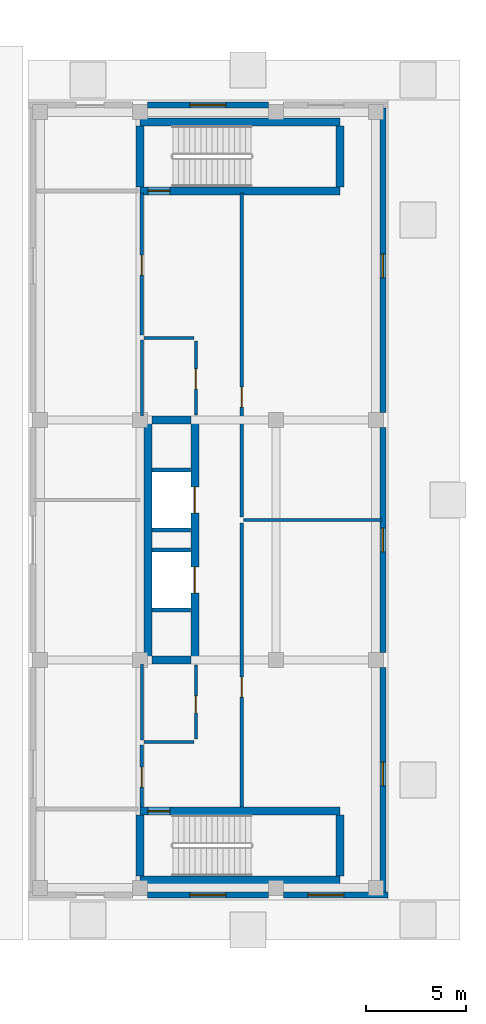
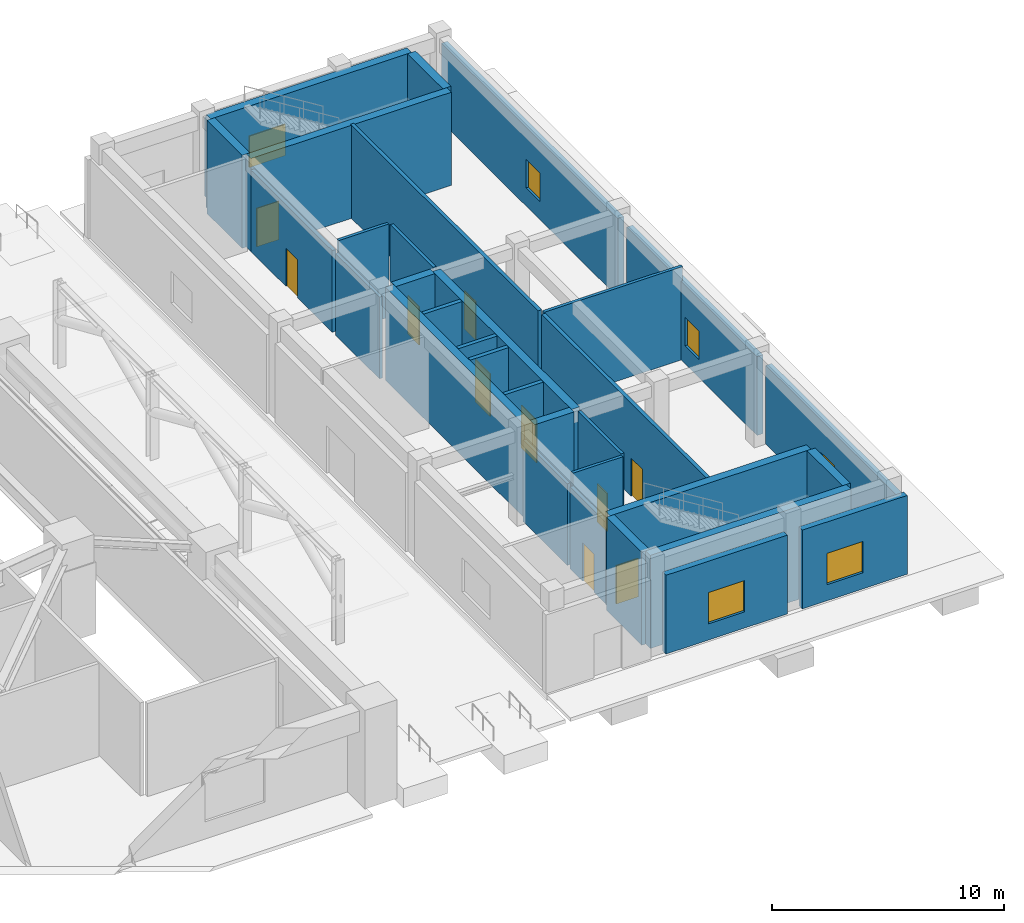
# One storey, part 21 of 27: 33 walls, 10 doors, 6 windows, 16 openings.
"""IFC4 building model written with IfcOpenShell, lengths in metres."""

from ifc_helpers import new_model, si_unit, direction, frame, frame_2d, origin, place, context, subcontext, project, spatial, rectangle, extrude, source, transform, mapped, material, layer, layer_set, type_object, element, fill, save


model = new_model("IFC4")

# Units and contexts
model_context = context("Model", 3, precision=1e-05, world=origin(), true_north=direction((0.0, 1.0)))
body_context = subcontext(model_context, "Body", "Model", "MODEL_VIEW")
ifc_project = project(units=[si_unit("LENGTHUNIT", "METRE"), si_unit("AREAUNIT", "SQUARE_METRE"), si_unit("VOLUMEUNIT", "CUBIC_METRE"), si_unit("PLANEANGLEUNIT", "RADIAN"), si_unit("MASSUNIT", "GRAM", prefix="KILO")], contexts=[model_context])

# Site, building, storey
site_placement = place(None, origin())
site = spatial("IfcSite", under=ifc_project, at=site_placement, CompositionType="ELEMENT")
building_placement = place(site_placement, origin())
building = spatial("IfcBuilding", under=site, at=building_placement, Name="Veraguas Prism Commons", CompositionType="ELEMENT")
storey_placement = place(building_placement, origin())
storey = spatial("IfcBuildingStorey", under=building, at=storey_placement, Name="L00", CompositionType="ELEMENT", Elevation=0.0)

# Wall
ifc_material_1 = material(Name="Concrete C50/60", Category="concrete")
ifc_layer_1 = layer(ifc_material_1, 0.39990234375, Name="Clinic and Mid Core Shear Wall RC 400", Category="concrete")
ifc_layer_set_1 = layer_set([ifc_layer_1], Name="Concrete C50/60")
wall_type_1 = type_object("IfcWallType", Name="Clinic and Mid Core Shear Wall RC 400", PredefinedType="SHEAR", material=ifc_layer_set_1)
wall_1_placement = place(storey_placement, frame((63.0, 16.0, 0.0), z_axis=(0.0, 0.0, 1.0), x_axis=(0.0, 1.0, 0.0)))
element("IfcWall", 1, at=wall_1_placement, inside=storey, type_object=wall_type_1, Name="Health Centre Core West Shear Wall L00", PredefinedType="SHEAR", context=body_context, shape_type="SweptSolid", body=[
    extrude(rectangle(XDim=12.0, YDim=0.39990234375, at=frame_2d((6.0, 0.0))), origin(), (0.0, 0.0, 1.0), 4.89990234375),
])

# Wall, openings, doors
wall_2_placement = place(storey_placement, frame((65.35009765625, 16.0, 0.0), z_axis=(0.0, 0.0, 1.0), x_axis=(0.0, 1.0, 0.0)))
wall_2 = element("IfcWall", 2, at=wall_2_placement, inside=storey, type_object=wall_type_1, Name="Health Centre Lift Core Front Shear Wall L00", PredefinedType="SHEAR", context=body_context, shape_type="SweptSolid", body=[
    extrude(rectangle(XDim=12.0, YDim=0.39990234375, at=frame_2d((6.0, 0.0))), origin(), (0.0, 0.0, 1.0), 4.89990234375),
])
opening_1_placement = place(wall_2_placement, frame((3.35009765625, 0.0, 0.0)))
opening_1 = element("IfcOpeningElement", 3, at=opening_1_placement, cuts=wall_2, Name="Opening LD-02", PredefinedType="OPENING", context=body_context, shape_type="SweptSolid", body=[
    extrude(rectangle(XDim=1.300048828125, YDim=2.25, at=frame_2d((0.64990234375, 1.125))), frame((0.0, 0.2099609375, 0.0), z_axis=(0.0, -1.0, 0.0), x_axis=(1.0, 0.0, 0.0)), (0.0, 0.0, 1.0), 0.419921875),
])
opening_2_placement = place(wall_2_placement, frame((7.35009765625, 0.0, 0.0)))
opening_2 = element("IfcOpeningElement", 4, at=opening_2_placement, cuts=wall_2, Name="Opening LD-02", PredefinedType="OPENING", context=body_context, shape_type="SweptSolid", body=[
    extrude(rectangle(XDim=1.300048828125, YDim=2.25, at=frame_2d((0.64990234375, 1.125))), frame((0.0, 0.2099609375, 0.0), z_axis=(0.0, -1.0, 0.0), x_axis=(1.0, 0.0, 0.0)), (0.0, 0.0, 1.0), 0.419921875),
])
ifc_material_2 = material(Name="Stainless steel AISI 316", Category="steel")
door_type_1 = type_object("IfcDoorType", Name="Firefighting Lift Sliding Landing Door 1300x2250", OperationType="NOTDEFINED", PredefinedType="DOOR", material=ifc_material_2)
shared_shape_1 = source(origin(), body_context, "Body", "SweptSolid", [
    extrude(rectangle(XDim=1.300048828125, YDim=2.25, at=frame_2d((0.64990234375, 1.125))), frame((0.0, 0.02490234375, 0.0), z_axis=(0.0, -1.0, 0.0), x_axis=(1.0, 0.0, 0.0)), (0.0, 0.0, 1.0), 0.050048828125),
])
door_1_placement = place(opening_1_placement, origin())
door_1 = element("IfcDoor", 5, at=door_1_placement, inside=storey, type_object=door_type_1, Name="Health Centre Lift CL-1 Door L00", OperationType="SLIDING_TO_LEFT", OverallHeight=2.25, OverallWidth=1.300048828125, PredefinedType="DOOR", context=body_context, shape_type="MappedRepresentation", body=[
    mapped(shared_shape_1, transform((0.0, 0.0, 0.0), scale=1.0)),
])
fill(opening_1, door_1)
door_2_placement = place(opening_2_placement, origin())
door_2 = element("IfcDoor", 6, at=door_2_placement, inside=storey, type_object=door_type_1, Name="Health Centre Lift CL-2 Door L00", OperationType="SLIDING_TO_LEFT", OverallHeight=2.25, OverallWidth=1.300048828125, PredefinedType="DOOR", context=body_context, shape_type="MappedRepresentation", body=[
    mapped(shared_shape_1, transform((0.0, 0.0, 0.0), scale=1.0)),
])
fill(opening_2, door_2)

# Walls
for number, where, z_axis, x_axis, name in (
    (7, (63.199951171875, 16.0, 0.0), (0.0, 0.0, 1.0), (1.0, 0.0, 0.0), "Health Centre Core South Wall L00"),
    (8, (63.199951171875, 28.0, 0.0), (0.0, 0.0, 1.0), (1.0, 0.0, 0.0), "Health Centre Core North Wall L00"),
):
    element("IfcWall", number, at=place(storey_placement, frame(where, z_axis=z_axis, x_axis=x_axis)), inside=storey, type_object=wall_type_1, Name=name, PredefinedType="SHEAR", context=body_context, shape_type="SweptSolid", body=[
        extrude(rectangle(XDim=1.949951171875, YDim=0.39990234375, at=frame_2d((0.97509765625, 0.0))), origin(), (0.0, 0.0, 1.0), 4.89990234375),
    ])
wall_3_placement = place(storey_placement, frame((62.60009765625, 5.0, 0.0), z_axis=(0.0, 0.0, 1.0), x_axis=(1.0, 0.0, 0.0)))
element("IfcWall", 9, at=wall_3_placement, inside=storey, type_object=wall_type_1, Name="ST-H1 South Shear Wall L00", PredefinedType="SHEAR", context=body_context, shape_type="SweptSolid", body=[
    extrude(rectangle(XDim=10.0, YDim=0.39990234375, at=frame_2d((5.0, 0.0))), origin(), (0.0, 0.0, 1.0), 4.89990234375),
])

# Wall, opening, door
wall_4_placement = place(storey_placement, frame((62.60009765625, 8.449951171875, 0.0), z_axis=(0.0, 0.0, 1.0), x_axis=(1.0, 0.0, 0.0)))
wall_4 = element("IfcWall", 10, at=wall_4_placement, inside=storey, type_object=wall_type_1, Name="ST-H1 North Shear Wall L00", PredefinedType="SHEAR", context=body_context, shape_type="SweptSolid", body=[
    extrude(rectangle(XDim=10.0, YDim=0.39990234375, at=frame_2d((5.0, 0.0))), origin(), (0.0, 0.0, 1.0), 4.89990234375),
])
opening_3_placement = place(wall_4_placement, frame((0.39990234375, 0.0, 0.0)))
opening_3 = element("IfcOpeningElement", 11, at=opening_3_placement, cuts=wall_4, Name="Opening DR-05", PredefinedType="OPENING", context=body_context, shape_type="SweptSolid", body=[
    extrude(rectangle(XDim=1.10009765625, YDim=2.030029296875, at=frame_2d((0.550048828125, 1.01513671875))), frame((0.0, 0.2099609375, 0.0), z_axis=(0.0, -1.0, 0.0), x_axis=(1.0, 0.0, 0.0)), (0.0, 0.0, 1.0), 0.419921875),
])
ifc_material_3 = material(Name="Steel fire-rated door assembly", Category="steel")
door_type_2 = type_object("IfcDoorType", Name="Protected Stair and Refuge Fire Door 1100x2030", OperationType="NOTDEFINED", PredefinedType="DOOR", material=ifc_material_3)
shared_shape_2 = source(origin(), body_context, "Body", "SweptSolid", [
    extrude(rectangle(XDim=1.10009765625, YDim=2.030029296875, at=frame_2d((0.550048828125, 1.01513671875))), frame((0.0, 0.02490234375, 0.0), z_axis=(0.0, -1.0, 0.0), x_axis=(1.0, 0.0, 0.0)), (0.0, 0.0, 1.0), 0.050048828125),
])
door_3_placement = place(opening_3_placement, origin())
door_3 = element("IfcDoor", 12, at=door_3_placement, inside=storey, type_object=door_type_2, Name="Health Centre Stair ST-H1 Door L00", OperationType="SINGLE_SWING_LEFT", OverallHeight=2.030029296875, OverallWidth=1.10009765625, PredefinedType="DOOR", context=body_context, shape_type="MappedRepresentation", body=[
    mapped(shared_shape_2, transform((0.0, 0.0, 0.0), scale=1.0)),
])
fill(opening_3, door_3)

# Walls
for number, where, z_axis, x_axis, name in (
    (13, (62.60009765625, 5.199951171875, 0.0), (0.0, 0.0, 1.0), (0.0, 1.0, 0.0), "ST-H1 West Shear Wall L00"),
    (14, (72.60009765625, 5.199951171875, 0.0), (0.0, 0.0, 1.0), (0.0, 1.0, 0.0), "ST-H1 East Shear Wall L00"),
):
    element("IfcWall", number, at=place(storey_placement, frame(where, z_axis=z_axis, x_axis=x_axis)), inside=storey, type_object=wall_type_1, Name=name, PredefinedType="SHEAR", context=body_context, shape_type="SweptSolid", body=[
        extrude(rectangle(XDim=3.050048828125, YDim=0.39990234375, at=frame_2d((1.52490234375, 0.0))), origin(), (0.0, 0.0, 1.0), 4.89990234375),
    ])

# Wall, opening, door
wall_5_placement = place(storey_placement, frame((62.60009765625, 39.4599609375, 0.0), z_axis=(0.0, 0.0, 1.0), x_axis=(1.0, 0.0, 0.0)))
wall_5 = element("IfcWall", 15, at=wall_5_placement, inside=storey, type_object=wall_type_1, Name="ST-H2 South Shear Wall L00", PredefinedType="SHEAR", context=body_context, shape_type="SweptSolid", body=[
    extrude(rectangle(XDim=10.0, YDim=0.39990234375, at=frame_2d((5.0, 0.0))), origin(), (0.0, 0.0, 1.0), 4.89990234375),
])
opening_4_placement = place(wall_5_placement, frame((0.39990234375, 0.0, 0.0)))
opening_4 = element("IfcOpeningElement", 16, at=opening_4_placement, cuts=wall_5, Name="Opening DR-05", PredefinedType="OPENING", context=body_context, shape_type="SweptSolid", body=[
    extrude(rectangle(XDim=1.10009765625, YDim=2.030029296875, at=frame_2d((0.550048828125, 1.01513671875))), frame((0.0, 0.2099609375, 0.0), z_axis=(0.0, -1.0, 0.0), x_axis=(1.0, 0.0, 0.0)), (0.0, 0.0, 1.0), 0.419921875),
])
door_4_placement = place(opening_4_placement, origin())
door_4 = element("IfcDoor", 17, at=door_4_placement, inside=storey, type_object=door_type_2, Name="Health Centre Stair ST-H2 Door L00", OperationType="SINGLE_SWING_RIGHT", OverallHeight=2.030029296875, OverallWidth=1.10009765625, PredefinedType="DOOR", context=body_context, shape_type="MappedRepresentation", body=[
    mapped(shared_shape_2, transform((0.0, 0.0, 0.0), scale=1.0)),
])
fill(opening_4, door_4)

# Walls
wall_6_placement = place(storey_placement, frame((62.60009765625, 42.909912109375, 0.0), z_axis=(0.0, 0.0, 1.0), x_axis=(1.0, 0.0, 0.0)))
element("IfcWall", 18, at=wall_6_placement, inside=storey, type_object=wall_type_1, Name="ST-H2 North Shear Wall L00", PredefinedType="SHEAR", context=body_context, shape_type="SweptSolid", body=[
    extrude(rectangle(XDim=10.0, YDim=0.39990234375, at=frame_2d((5.0, 0.0))), origin(), (0.0, 0.0, 1.0), 4.89990234375),
])
for number, where, z_axis, x_axis, name in (
    (19, (62.60009765625, 39.659912109375, 0.0), (0.0, 0.0, 1.0), (0.0, 1.0, 0.0), "ST-H2 West Shear Wall L00"),
    (20, (72.60009765625, 39.659912109375, 0.0), (0.0, 0.0, 1.0), (0.0, 1.0, 0.0), "ST-H2 East Shear Wall L00"),
):
    element("IfcWall", number, at=place(storey_placement, frame(where, z_axis=z_axis, x_axis=x_axis)), inside=storey, type_object=wall_type_1, Name=name, PredefinedType="SHEAR", context=body_context, shape_type="SweptSolid", body=[
        extrude(rectangle(XDim=3.050048828125, YDim=0.39990234375, at=frame_2d((1.52490234375, 0.0))), origin(), (0.0, 0.0, 1.0), 4.89990234375),
    ])

# Wall, opening, door
ifc_material_4 = material(Name="Autoclaved aerated masonry block 10 MPa", Category="masonry")
ifc_layer_2 = layer(ifc_material_4, 0.179931640625, Name="Corridor and Inter-Tenancy Partition 180", Category="masonry")
ifc_layer_set_2 = layer_set([ifc_layer_2], Name="Autoclaved aerated masonry block 10 MPa")
wall_type_2 = type_object("IfcWallType", Name="Corridor and Inter-Tenancy Partition 180", PredefinedType="PARTITIONING", material=ifc_layer_set_2)
wall_7_placement = place(storey_placement, frame((62.699951171875, 8.64990234375, 0.0), z_axis=(0.0, 0.0, 1.0), x_axis=(0.0, 1.0, 0.0)))
wall_7 = element("IfcWall", 21, at=wall_7_placement, inside=storey, type_object=wall_type_2, Name="WL-L00-HCPT05", PredefinedType="PARTITIONING", context=body_context, shape_type="SweptSolid", body=[
    extrude(rectangle(XDim=3.10009765625, YDim=0.179931640625, at=frame_2d((1.550048828125, 0.0))), origin(), (0.0, 0.0, 1.0), 4.300048828125),
])
opening_5_placement = place(wall_7_placement, frame((1.0, 0.0, 0.0)))
opening_5 = element("IfcOpeningElement", 22, at=opening_5_placement, cuts=wall_7, Name="Opening DR-13", PredefinedType="OPENING", context=body_context, shape_type="SweptSolid", body=[
    extrude(rectangle(XDim=1.0, YDim=2.010009765625, at=frame_2d((0.5, 1.0048828125))), frame((0.0, 0.099853515625, 0.0), z_axis=(0.0, -1.0, 0.0), x_axis=(1.0, 0.0, 0.0)), (0.0, 0.0, 1.0), 0.199951171875),
])
door_type_3 = type_object("IfcDoorType", Name="Core Accessible WC and Clinic Fire Door 1000x2010", OperationType="NOTDEFINED", PredefinedType="DOOR", material=ifc_material_3)
shared_shape_3 = source(origin(), body_context, "Body", "SweptSolid", [
    extrude(rectangle(XDim=1.0, YDim=2.010009765625, at=frame_2d((0.5, 1.0048828125))), frame((0.0, 0.02490234375, 0.0), z_axis=(0.0, -1.0, 0.0), x_axis=(1.0, 0.0, 0.0)), (0.0, 0.0, 1.0), 0.050048828125),
])
door_5_placement = place(opening_5_placement, origin())
door_5 = element("IfcDoor", 23, at=door_5_placement, inside=storey, type_object=door_type_3, Name="Urgent Care Triage and Reception Door", OperationType="SINGLE_SWING_RIGHT", OverallHeight=2.010009765625, OverallWidth=1.0, PredefinedType="DOOR", context=body_context, shape_type="MappedRepresentation", body=[
    mapped(shared_shape_3, transform((0.0, 0.0, 0.0), scale=1.0)),
])
fill(opening_5, door_5)

wall_8_placement = place(storey_placement, frame((62.699951171875, 32.25, 0.0), z_axis=(0.0, 0.0, 1.0), x_axis=(0.0, 1.0, 0.0)))
wall_8 = element("IfcWall", 24, at=wall_8_placement, inside=storey, type_object=wall_type_2, Name="WL-L00-HCPT06", PredefinedType="PARTITIONING", context=body_context, shape_type="SweptSolid", body=[
    extrude(rectangle(XDim=7.10009765625, YDim=0.179931640625, at=frame_2d((3.550048828125, 0.0))), origin(), (0.0, 0.0, 1.0), 4.300048828125),
])
opening_6_placement = place(wall_8_placement, frame((3.0, 0.0, 0.0)))
opening_6 = element("IfcOpeningElement", 25, at=opening_6_placement, cuts=wall_8, Name="Opening DR-13", PredefinedType="OPENING", context=body_context, shape_type="SweptSolid", body=[
    extrude(rectangle(XDim=1.0, YDim=2.010009765625, at=frame_2d((0.5, 1.0048828125))), frame((0.0, 0.099853515625, 0.0), z_axis=(0.0, -1.0, 0.0), x_axis=(1.0, 0.0, 0.0)), (0.0, 0.0, 1.0), 0.199951171875),
])
door_6_placement = place(opening_6_placement, origin())
door_6 = element("IfcDoor", 26, at=door_6_placement, inside=storey, type_object=door_type_3, Name="Emergency Observation Treatment Room Door", OperationType="SINGLE_SWING_LEFT", OverallHeight=2.010009765625, OverallWidth=1.0, PredefinedType="DOOR", context=body_context, shape_type="MappedRepresentation", body=[
    mapped(shared_shape_3, transform((0.0, 0.0, 0.0), scale=1.0)),
])
fill(opening_6, door_6)

wall_9_placement = place(storey_placement, frame((67.699951171875, 8.64990234375, 0.0), z_axis=(0.0, 0.0, 1.0), x_axis=(0.0, 1.0, 0.0)))
wall_9 = element("IfcWall", 27, at=wall_9_placement, inside=storey, type_object=wall_type_2, Name="WL-L00-HCPT08", PredefinedType="PARTITIONING", context=body_context, shape_type="SweptSolid", body=[
    extrude(rectangle(XDim=14.2001953125, YDim=0.179931640625, at=frame_2d((7.10009765625, 0.0))), origin(), (0.0, 0.0, 1.0), 4.89990234375),
])
opening_7_placement = place(wall_9_placement, frame((5.5, 0.0, 0.0)))
opening_7 = element("IfcOpeningElement", 28, at=opening_7_placement, cuts=wall_9, Name="Opening DR-13", PredefinedType="OPENING", context=body_context, shape_type="SweptSolid", body=[
    extrude(rectangle(XDim=1.0, YDim=2.010009765625, at=frame_2d((0.5, 1.0048828125))), frame((0.0, 0.099853515625, 0.0), z_axis=(0.0, -1.0, 0.0), x_axis=(1.0, 0.0, 0.0)), (0.0, 0.0, 1.0), 0.199951171875),
])
door_7_placement = place(opening_7_placement, origin())
door_7 = element("IfcDoor", 29, at=door_7_placement, inside=storey, type_object=door_type_3, Name="Municipal Dispensary and Pharmacy Door", OperationType="SINGLE_SWING_RIGHT", OverallHeight=2.010009765625, OverallWidth=1.0, PredefinedType="DOOR", context=body_context, shape_type="MappedRepresentation", body=[
    mapped(shared_shape_3, transform((0.0, 0.0, 0.0), scale=1.0)),
])
fill(opening_7, door_7)

wall_10_placement = place(storey_placement, frame((67.699951171875, 23.14990234375, 0.0), z_axis=(0.0, 0.0, 1.0), x_axis=(0.0, 1.0, 0.0)))
wall_10 = element("IfcWall", 30, at=wall_10_placement, inside=storey, type_object=wall_type_2, Name="WL-L00-HCPT09", PredefinedType="PARTITIONING", context=body_context, shape_type="SweptSolid", body=[
    extrude(rectangle(XDim=16.2001953125, YDim=0.179931640625, at=frame_2d((8.10009765625, 0.0))), origin(), (0.0, 0.0, 1.0), 4.89990234375),
])
opening_8_placement = place(wall_10_placement, frame((5.5, 0.0, 0.0)))
opening_8 = element("IfcOpeningElement", 31, at=opening_8_placement, cuts=wall_10, Name="Opening DR-13", PredefinedType="OPENING", context=body_context, shape_type="SweptSolid", body=[
    extrude(rectangle(XDim=1.0, YDim=2.010009765625, at=frame_2d((0.5, 1.0048828125))), frame((0.0, 0.099853515625, 0.0), z_axis=(0.0, -1.0, 0.0), x_axis=(1.0, 0.0, 0.0)), (0.0, 0.0, 1.0), 0.199951171875),
])
door_8_placement = place(opening_8_placement, origin())
door_8 = element("IfcDoor", 32, at=door_8_placement, inside=storey, type_object=door_type_3, Name="Minor Procedure Suite Door", OperationType="SINGLE_SWING_LEFT", OverallHeight=2.010009765625, OverallWidth=1.0, PredefinedType="DOOR", context=body_context, shape_type="MappedRepresentation", body=[
    mapped(shared_shape_3, transform((0.0, 0.0, 0.0), scale=1.0)),
])
fill(opening_8, door_8)

# Wall, opening, window
ifc_material_5 = material(Name="Precast concrete C40/50", Category="concrete")
ifc_layer_3 = layer(ifc_material_5, 0.300048828125, Name="External Precast Facade Wall 300", Category="concrete")
ifc_layer_set_3 = layer_set([ifc_layer_3], Name="Precast concrete C40/50")
wall_type_3 = type_object("IfcWallType", Name="External Precast Facade Wall 300", PredefinedType="SOLIDWALL", material=ifc_layer_set_3)
wall_11_placement = place(storey_placement, frame((62.97509765625, 4.25, 0.0), z_axis=(0.0, 0.0, 1.0), x_axis=(1.0, 0.0, 0.0)))
wall_11 = element("IfcWall", 33, at=wall_11_placement, inside=storey, type_object=wall_type_3, Name="Health Centre South Wall L00-02", PredefinedType="SOLIDWALL", context=body_context, shape_type="SweptSolid", body=[
    extrude(rectangle(XDim=6.0498046875, YDim=0.300048828125, at=frame_2d((3.02490234375, 0.0))), origin(), (0.0, 0.0, 1.0), 4.14990234375),
])
opening_9_placement = place(wall_11_placement, frame((2.125, 0.0, 0.85009765625)))
opening_9 = element("IfcOpeningElement", 34, at=opening_9_placement, cuts=wall_11, Name="Opening WN-01", PredefinedType="OPENING", context=body_context, shape_type="SweptSolid", body=[
    extrude(rectangle(XDim=1.800048828125, YDim=1.64990234375, at=frame_2d((0.89990234375, 0.824951171875))), frame((0.0, 0.159912109375, 0.0), z_axis=(0.0, -1.0, 0.0), x_axis=(1.0, 0.0, 0.0)), (0.0, 0.0, 1.0), 0.320068359375),
])
ifc_material_6 = material(Name="Laminated low-e glass", Category="glass")
window_type_1 = type_object("IfcWindowType", Name="Clinic Consulting Double Window 1800x1650", PartitioningType="DOUBLE_PANEL_VERTICAL", PredefinedType="WINDOW", material=ifc_material_6)
shared_shape_4 = source(origin(), body_context, "Body", "SweptSolid", [
    extrude(rectangle(XDim=1.800048828125, YDim=1.64990234375, at=frame_2d((0.89990234375, 0.824951171875))), frame((0.0, 0.030029296875, 0.0), z_axis=(0.0, -1.0, 0.0), x_axis=(1.0, 0.0, 0.0)), (0.0, 0.0, 1.0), 0.06005859375),
])
window_1_placement = place(opening_9_placement, origin())
window_1 = element("IfcWindow", 35, at=window_1_placement, inside=storey, type_object=window_type_1, Name="Health Centre South Window L00-02", OverallHeight=1.64990234375, OverallWidth=1.800048828125, PartitioningType="DOUBLE_PANEL_VERTICAL", PredefinedType="WINDOW", context=body_context, shape_type="MappedRepresentation", body=[
    mapped(shared_shape_4, transform((0.0, 0.0, 0.0), scale=1.0)),
])
fill(opening_9, window_1)

wall_12_placement = place(storey_placement, frame((69.77490234375, 4.25, 0.0), z_axis=(0.0, 0.0, 1.0), x_axis=(1.0, 0.0, 0.0)))
wall_12 = element("IfcWall", 36, at=wall_12_placement, inside=storey, type_object=wall_type_3, Name="Health Centre South Wall L00-03", PredefinedType="SOLIDWALL", context=body_context, shape_type="SweptSolid", body=[
    extrude(rectangle(XDim=5.22509765625, YDim=0.300048828125, at=frame_2d((2.612548828125, 0.0))), origin(), (0.0, 0.0, 1.0), 4.14990234375),
])
opening_10_placement = place(wall_12_placement, frame((1.22509765625, 0.0, 0.85009765625)))
opening_10 = element("IfcOpeningElement", 37, at=opening_10_placement, cuts=wall_12, Name="Opening WN-01", PredefinedType="OPENING", context=body_context, shape_type="SweptSolid", body=[
    extrude(rectangle(XDim=1.800048828125, YDim=1.64990234375, at=frame_2d((0.89990234375, 0.824951171875))), frame((0.0, 0.159912109375, 0.0), z_axis=(0.0, -1.0, 0.0), x_axis=(1.0, 0.0, 0.0)), (0.0, 0.0, 1.0), 0.320068359375),
])
window_2_placement = place(opening_10_placement, origin())
window_2 = element("IfcWindow", 38, at=window_2_placement, inside=storey, type_object=window_type_1, Name="Health Centre South Window L00-03", OverallHeight=1.64990234375, OverallWidth=1.800048828125, PartitioningType="DOUBLE_PANEL_VERTICAL", PredefinedType="WINDOW", context=body_context, shape_type="MappedRepresentation", body=[
    mapped(shared_shape_4, transform((0.0, 0.0, 0.0), scale=1.0)),
])
fill(opening_10, window_2)

wall_13_placement = place(storey_placement, frame((69.02490234375, 43.75, 0.0), z_axis=(0.0, 0.0, 1.0), x_axis=(-1.0, 0.0, 0.0)))
wall_13 = element("IfcWall", 39, at=wall_13_placement, inside=storey, type_object=wall_type_3, Name="Health Centre North Wall L00-02", PredefinedType="SOLIDWALL", context=body_context, shape_type="SweptSolid", body=[
    extrude(rectangle(XDim=6.0498046875, YDim=0.300048828125, at=frame_2d((3.02490234375, 0.0))), origin(), (0.0, 0.0, 1.0), 4.14990234375),
])
opening_11_placement = place(wall_13_placement, frame((2.125, 0.0, 0.85009765625)))
opening_11 = element("IfcOpeningElement", 40, at=opening_11_placement, cuts=wall_13, Name="Opening WN-01", PredefinedType="OPENING", context=body_context, shape_type="SweptSolid", body=[
    extrude(rectangle(XDim=1.800048828125, YDim=1.64990234375, at=frame_2d((0.89990234375, 0.824951171875))), frame((0.0, 0.159912109375, 0.0), z_axis=(0.0, -1.0, 0.0), x_axis=(1.0, 0.0, 0.0)), (0.0, 0.0, 1.0), 0.320068359375),
])
window_3_placement = place(opening_11_placement, origin())
window_3 = element("IfcWindow", 41, at=window_3_placement, inside=storey, type_object=window_type_1, Name="Health Centre North Window L00-02", OverallHeight=1.64990234375, OverallWidth=1.800048828125, PartitioningType="DOUBLE_PANEL_VERTICAL", PredefinedType="WINDOW", context=body_context, shape_type="MappedRepresentation", body=[
    mapped(shared_shape_4, transform((0.0, 0.0, 0.0), scale=1.0)),
])
fill(opening_11, window_3)

wall_14_placement = place(storey_placement, frame((74.75, 4.39990234375, 0.0), z_axis=(0.0, 0.0, 1.0), x_axis=(0.0, 1.0, 0.0)))
wall_14 = element("IfcWall", 42, at=wall_14_placement, inside=storey, type_object=wall_type_3, Name="Health Centre East Wall L00-01", PredefinedType="SOLIDWALL", context=body_context, shape_type="SweptSolid", body=[
    extrude(rectangle(XDim=11.22509765625, YDim=0.300048828125, at=frame_2d((5.612548828125, 0.0))), origin(), (0.0, 0.0, 1.0), 4.14990234375),
])
opening_12_placement = place(wall_14_placement, frame((5.300048828125, 0.0, 0.949951171875)))
opening_12 = element("IfcOpeningElement", 43, at=opening_12_placement, cuts=wall_14, Name="Opening WN-03", PredefinedType="OPENING", context=body_context, shape_type="SweptSolid", body=[
    extrude(rectangle(XDim=1.199951171875, YDim=1.5, at=frame_2d((0.60009765625, 0.75))), frame((0.0, 0.159912109375, 0.0), z_axis=(0.0, -1.0, 0.0), x_axis=(1.0, 0.0, 0.0)), (0.0, 0.0, 1.0), 0.320068359375),
])
window_type_2 = type_object("IfcWindowType", Name="Clinic Treatment Window 1200x1500", PartitioningType="SINGLE_PANEL", PredefinedType="WINDOW", material=ifc_material_6)
shared_shape_5 = source(origin(), body_context, "Body", "SweptSolid", [
    extrude(rectangle(XDim=1.199951171875, YDim=1.5, at=frame_2d((0.60009765625, 0.75))), frame((0.0, 0.030029296875, 0.0), z_axis=(0.0, -1.0, 0.0), x_axis=(1.0, 0.0, 0.0)), (0.0, 0.0, 1.0), 0.06005859375),
])
window_4_placement = place(opening_12_placement, origin())
window_4 = element("IfcWindow", 44, at=window_4_placement, inside=storey, type_object=window_type_2, Name="Health Centre East Window L00-01", OverallHeight=1.5, OverallWidth=1.199951171875, PartitioningType="SINGLE_PANEL", PredefinedType="WINDOW", context=body_context, shape_type="MappedRepresentation", body=[
    mapped(shared_shape_5, transform((0.0, 0.0, 0.0), scale=1.0)),
])
fill(opening_12, window_4)

wall_15_placement = place(storey_placement, frame((74.75, 16.375, 0.0), z_axis=(0.0, 0.0, 1.0), x_axis=(0.0, 1.0, 0.0)))
wall_15 = element("IfcWall", 45, at=wall_15_placement, inside=storey, type_object=wall_type_3, Name="Health Centre East Wall L00-02", PredefinedType="SOLIDWALL", context=body_context, shape_type="SweptSolid", body=[
    extrude(rectangle(XDim=11.25, YDim=0.300048828125, at=frame_2d((5.625, 0.0))), origin(), (0.0, 0.0, 1.0), 4.14990234375),
])
opening_13_placement = place(wall_15_placement, frame((5.02490234375, 0.0, 0.949951171875)))
opening_13 = element("IfcOpeningElement", 46, at=opening_13_placement, cuts=wall_15, Name="Opening WN-03", PredefinedType="OPENING", context=body_context, shape_type="SweptSolid", body=[
    extrude(rectangle(XDim=1.199951171875, YDim=1.5, at=frame_2d((0.60009765625, 0.75))), frame((0.0, 0.159912109375, 0.0), z_axis=(0.0, -1.0, 0.0), x_axis=(1.0, 0.0, 0.0)), (0.0, 0.0, 1.0), 0.320068359375),
])
window_5_placement = place(opening_13_placement, origin())
window_5 = element("IfcWindow", 47, at=window_5_placement, inside=storey, type_object=window_type_2, Name="Health Centre East Window L00-02", OverallHeight=1.5, OverallWidth=1.199951171875, PartitioningType="SINGLE_PANEL", PredefinedType="WINDOW", context=body_context, shape_type="MappedRepresentation", body=[
    mapped(shared_shape_5, transform((0.0, 0.0, 0.0), scale=1.0)),
])
fill(opening_13, window_5)

wall_16_placement = place(storey_placement, frame((74.75, 28.375, 0.0), z_axis=(0.0, 0.0, 1.0), x_axis=(0.0, 1.0, 0.0)))
wall_16 = element("IfcWall", 48, at=wall_16_placement, inside=storey, type_object=wall_type_3, Name="Health Centre East Wall L00-03", PredefinedType="SOLIDWALL", context=body_context, shape_type="SweptSolid", body=[
    extrude(rectangle(XDim=15.22509765625, YDim=0.300048828125, at=frame_2d((7.612548828125, 0.0))), origin(), (0.0, 0.0, 1.0), 4.14990234375),
])
opening_14_placement = place(wall_16_placement, frame((6.72509765625, 0.0, 0.949951171875)))
opening_14 = element("IfcOpeningElement", 49, at=opening_14_placement, cuts=wall_16, Name="Opening WN-03", PredefinedType="OPENING", context=body_context, shape_type="SweptSolid", body=[
    extrude(rectangle(XDim=1.199951171875, YDim=1.5, at=frame_2d((0.60009765625, 0.75))), frame((0.0, 0.159912109375, 0.0), z_axis=(0.0, -1.0, 0.0), x_axis=(1.0, 0.0, 0.0)), (0.0, 0.0, 1.0), 0.320068359375),
])
window_6_placement = place(opening_14_placement, origin())
window_6 = element("IfcWindow", 50, at=window_6_placement, inside=storey, type_object=window_type_2, Name="Health Centre East Window L00-03", OverallHeight=1.5, OverallWidth=1.199951171875, PartitioningType="SINGLE_PANEL", PredefinedType="WINDOW", context=body_context, shape_type="MappedRepresentation", body=[
    mapped(shared_shape_5, transform((0.0, 0.0, 0.0), scale=1.0)),
])
fill(opening_14, window_6)

# Walls
ifc_layer_4 = layer(ifc_material_4, 0.199951171875, Name="Rated Shaft and Lobby Block Wall 200", Category="masonry")
ifc_layer_set_4 = layer_set([ifc_layer_4], Name="Autoclaved aerated masonry block 10 MPa")
wall_type_4 = type_object("IfcWallType", Name="Rated Shaft and Lobby Block Wall 200", PredefinedType="SOLIDWALL", material=ifc_layer_set_4)
for number, where, z_axis, x_axis, name in (
    (51, (63.219970703125, 18.5, 0.0), (0.0, 0.0, 1.0), (1.0, 0.0, 0.0), "Health Centre Lift Shaft Divider Wall L00-CL1S"),
    (52, (63.219970703125, 21.5, 0.0), (0.0, 0.0, 1.0), (1.0, 0.0, 0.0), "Health Centre Lift Shaft Divider Wall L00-CL1N"),
    (53, (63.219970703125, 22.5, 0.0), (0.0, 0.0, 1.0), (1.0, 0.0, 0.0), "Health Centre Lift Shaft Divider Wall L00-CL2S"),
    (54, (63.219970703125, 25.5, 0.0), (0.0, 0.0, 1.0), (1.0, 0.0, 0.0), "Health Centre Lift Shaft Divider Wall L00-CL2N"),
):
    element("IfcWall", number, at=place(storey_placement, frame(where, z_axis=z_axis, x_axis=x_axis)), inside=storey, type_object=wall_type_4, Name=name, PredefinedType="SOLIDWALL", context=body_context, shape_type="SweptSolid", body=[
        extrude(rectangle(XDim=1.909912109375, YDim=0.199951171875, at=frame_2d((0.955078125, 0.0))), origin(), (0.0, 0.0, 1.0), 4.89990234375),
    ])
ifc_material_7 = material(Name="Lightweight acoustic gypsum board")
ifc_layer_5 = layer(ifc_material_7, 0.14990234375, Name="Wet Room and Clinic Acoustic Partition 150")
ifc_layer_set_5 = layer_set([ifc_layer_5], Name="Lightweight acoustic gypsum board")
wall_type_5 = type_object("IfcWallType", Name="Wet Room and Clinic Acoustic Partition 150", PredefinedType="PARTITIONING", material=ifc_layer_set_5)
wall_17_placement = place(storey_placement, frame((62.800048828125, 11.89990234375, 0.0), z_axis=(0.0, 0.0, 1.0), x_axis=(1.0, 0.0, 0.0)))
element("IfcWall", 55, at=wall_17_placement, inside=storey, type_object=wall_type_5, Name="WL-L00-HCPT01", PredefinedType="PARTITIONING", context=body_context, shape_type="SweptSolid", body=[
    extrude(rectangle(XDim=2.5, YDim=0.14990234375, at=frame_2d((1.25, 0.0))), origin(), (0.0, 0.0, 1.0), 4.89990234375),
])
wall_18_placement = place(storey_placement, frame((62.699951171875, 12.0, 0.0), z_axis=(0.0, 0.0, 1.0), x_axis=(0.0, 1.0, 0.0)))
element("IfcWall", 56, at=wall_18_placement, inside=storey, type_object=wall_type_5, Name="WL-L00-HCPT01W", PredefinedType="PARTITIONING", context=body_context, shape_type="SweptSolid", body=[
    extrude(rectangle(XDim=3.800048828125, YDim=0.14990234375, at=frame_2d((1.89990234375, 0.0))), origin(), (0.0, 0.0, 1.0), 4.300048828125),
])

# Wall, opening, door
wall_19_placement = place(storey_placement, frame((65.39990234375, 12.050048828125, 0.0), z_axis=(0.0, 0.0, 1.0), x_axis=(0.0, 1.0, 0.0)))
wall_19 = element("IfcWall", 57, at=wall_19_placement, inside=storey, type_object=wall_type_5, Name="WL-L00-HCPT02", PredefinedType="PARTITIONING", context=body_context, shape_type="SweptSolid", body=[
    extrude(rectangle(XDim=3.699951171875, YDim=0.14990234375, at=frame_2d((1.85009765625, 0.0))), origin(), (0.0, 0.0, 1.0), 4.89990234375),
])
opening_15_placement = place(wall_19_placement, frame((1.300048828125, 0.0, 0.0)))
opening_15 = element("IfcOpeningElement", 58, at=opening_15_placement, cuts=wall_19, Name="Opening DR-12", PredefinedType="OPENING", context=body_context, shape_type="SweptSolid", body=[
    extrude(rectangle(XDim=0.860107421875, YDim=2.010009765625, at=frame_2d((0.43017578125, 1.0048828125))), frame((0.0, 0.0849609375, 0.0), z_axis=(0.0, -1.0, 0.0), x_axis=(1.0, 0.0, 0.0)), (0.0, 0.0, 1.0), 0.169921875),
])
door_type_4 = type_object("IfcDoorType", Name="Core WC Fire Door 860x2010", OperationType="NOTDEFINED", PredefinedType="DOOR", material=ifc_material_3)
shared_shape_6 = source(origin(), body_context, "Body", "SweptSolid", [
    extrude(rectangle(XDim=0.860107421875, YDim=2.010009765625, at=frame_2d((0.43017578125, 1.0048828125))), frame((0.0, 0.02490234375, 0.0), z_axis=(0.0, -1.0, 0.0), x_axis=(1.0, 0.0, 0.0)), (0.0, 0.0, 1.0), 0.050048828125),
])
door_9_placement = place(opening_15_placement, origin())
door_9 = element("IfcDoor", 59, at=door_9_placement, inside=storey, type_object=door_type_4, Name="Clinic WC Door L00", OperationType="SINGLE_SWING_RIGHT", OverallHeight=2.010009765625, OverallWidth=0.860107421875, PredefinedType="DOOR", context=body_context, shape_type="MappedRepresentation", body=[
    mapped(shared_shape_6, transform((0.0, 0.0, 0.0), scale=1.0)),
])
fill(opening_15, door_9)

# Walls
wall_20_placement = place(storey_placement, frame((62.800048828125, 32.10009765625, 0.0), z_axis=(0.0, 0.0, 1.0), x_axis=(1.0, 0.0, 0.0)))
element("IfcWall", 60, at=wall_20_placement, inside=storey, type_object=wall_type_5, Name="WL-L00-HCPT03", PredefinedType="PARTITIONING", context=body_context, shape_type="SweptSolid", body=[
    extrude(rectangle(XDim=2.5, YDim=0.14990234375, at=frame_2d((1.25, 0.0))), origin(), (0.0, 0.0, 1.0), 4.89990234375),
])
wall_21_placement = place(storey_placement, frame((62.699951171875, 28.199951171875, 0.0), z_axis=(0.0, 0.0, 1.0), x_axis=(0.0, 1.0, 0.0)))
element("IfcWall", 61, at=wall_21_placement, inside=storey, type_object=wall_type_5, Name="WL-L00-HCPT03W", PredefinedType="PARTITIONING", context=body_context, shape_type="SweptSolid", body=[
    extrude(rectangle(XDim=3.800048828125, YDim=0.14990234375, at=frame_2d((1.89990234375, 0.0))), origin(), (0.0, 0.0, 1.0), 4.300048828125),
])

# Wall, opening, door
wall_22_placement = place(storey_placement, frame((65.39990234375, 28.25, 0.0), z_axis=(0.0, 0.0, 1.0), x_axis=(0.0, 1.0, 0.0)))
wall_22 = element("IfcWall", 62, at=wall_22_placement, inside=storey, type_object=wall_type_5, Name="WL-L00-HCPT04", PredefinedType="PARTITIONING", context=body_context, shape_type="SweptSolid", body=[
    extrude(rectangle(XDim=3.699951171875, YDim=0.14990234375, at=frame_2d((1.85009765625, 0.0))), origin(), (0.0, 0.0, 1.0), 4.89990234375),
])
opening_16_placement = place(wall_22_placement, frame((1.300048828125, 0.0, 0.0)))
opening_16 = element("IfcOpeningElement", 63, at=opening_16_placement, cuts=wall_22, Name="Opening DR-13", PredefinedType="OPENING", context=body_context, shape_type="SweptSolid", body=[
    extrude(rectangle(XDim=1.0, YDim=2.010009765625, at=frame_2d((0.5, 1.0048828125))), frame((0.0, 0.0849609375, 0.0), z_axis=(0.0, -1.0, 0.0), x_axis=(1.0, 0.0, 0.0)), (0.0, 0.0, 1.0), 0.169921875),
])
door_10_placement = place(opening_16_placement, origin())
door_10 = element("IfcDoor", 64, at=door_10_placement, inside=storey, type_object=door_type_3, Name="Clinic Accessible WC Door L00", OperationType="SINGLE_SWING_LEFT", OverallHeight=2.010009765625, OverallWidth=1.0, PredefinedType="DOOR", context=body_context, shape_type="MappedRepresentation", body=[
    mapped(shared_shape_3, transform((0.0, 0.0, 0.0), scale=1.0)),
])
fill(opening_16, door_10)

# Wall
wall_23_placement = place(storey_placement, frame((67.780029296875, 23.0, 0.0), z_axis=(0.0, 0.0, 1.0), x_axis=(1.0, 0.0, 0.0)))
element("IfcWall", 65, at=wall_23_placement, inside=storey, type_object=wall_type_5, Name="WL-L00-HCPT10", PredefinedType="PARTITIONING", context=body_context, shape_type="SweptSolid", body=[
    extrude(rectangle(XDim=6.89990234375, YDim=0.14990234375, at=frame_2d((3.449951171875, 0.0))), origin(), (0.0, 0.0, 1.0), 4.89990234375),
])

save(model, "model.ifc")
